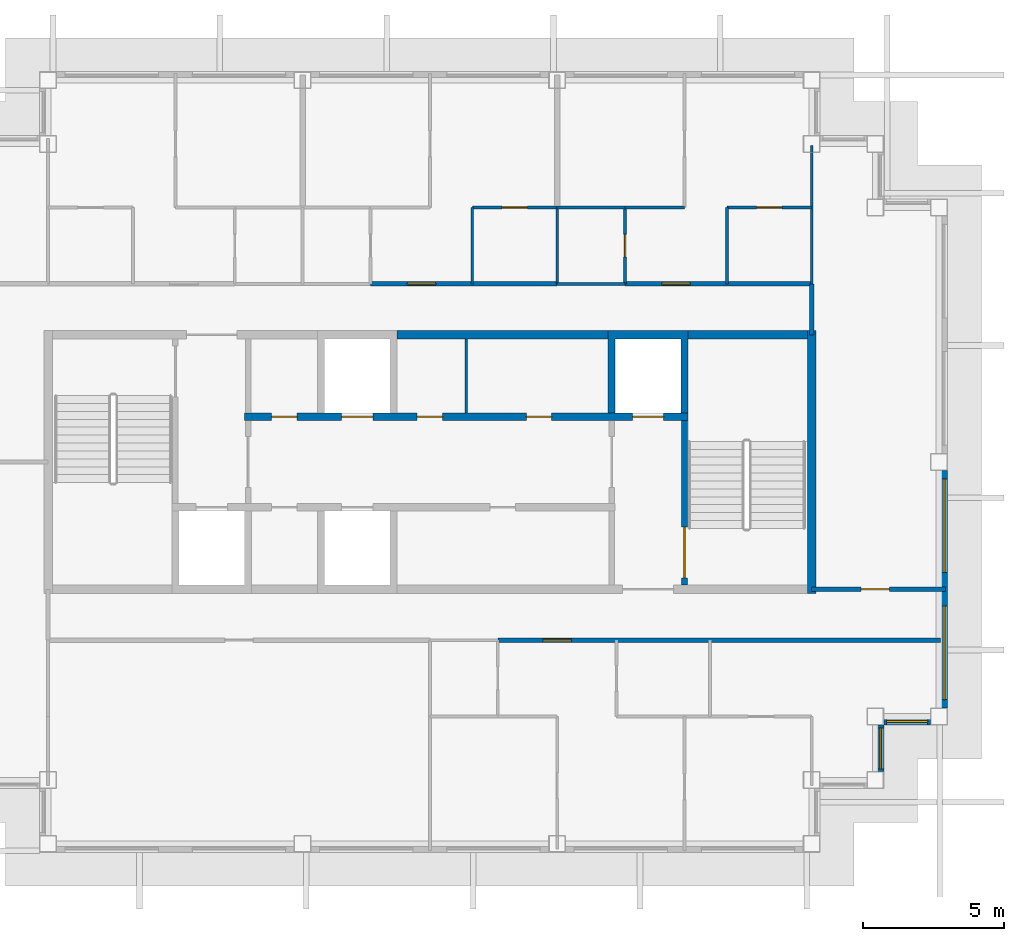
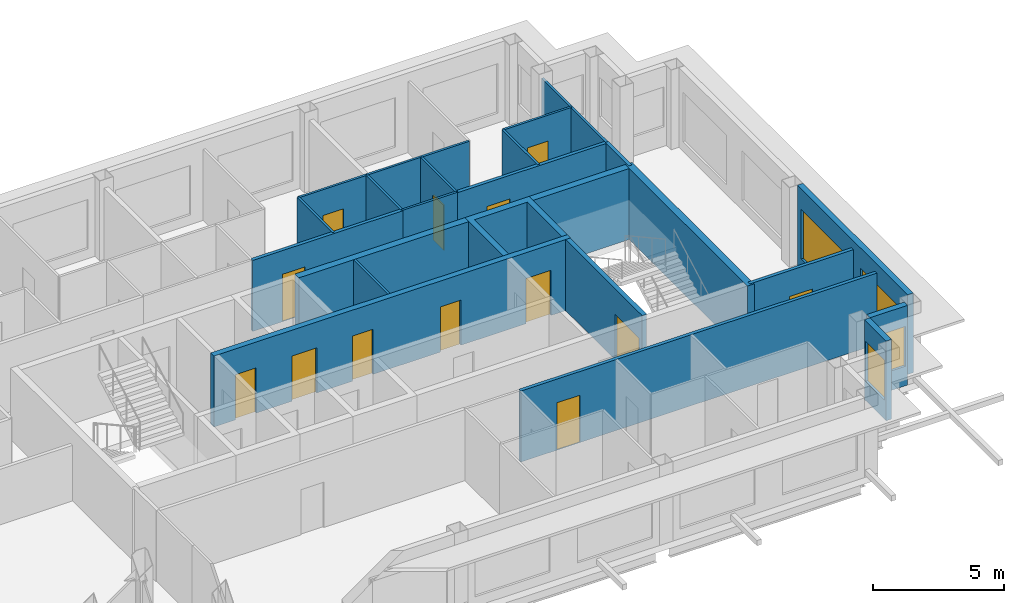
# One storey, part 5 of 11: 25 walls, 13 doors, 4 windows, 17 openings.
"""IFC4 building model written with IfcOpenShell, lengths in metres."""

from ifc_helpers import new_model, si_unit, direction, frame, frame_2d, origin, place, context, subcontext, project, spatial, polyline, rectangle, outline, extrude, material, layer, layer_set, type_object, element, fill, save


model = new_model("IFC4")

# Units and contexts
model_context = context("Model", 3, precision=1e-05, world=origin(), true_north=direction((0.0, 1.0)))
body_context = subcontext(model_context, "Body", "Model", "MODEL_VIEW")
ifc_project = project(units=[si_unit("LENGTHUNIT", "METRE"), si_unit("AREAUNIT", "SQUARE_METRE"), si_unit("VOLUMEUNIT", "CUBIC_METRE"), si_unit("PLANEANGLEUNIT", "RADIAN"), si_unit("MASSUNIT", "GRAM", prefix="KILO")], contexts=[model_context])

# Site, building, storey
site_placement = place(None, origin())
site = spatial("IfcSite", under=ifc_project, at=site_placement, CompositionType="ELEMENT")
building_placement = place(site_placement, origin())
building = spatial("IfcBuilding", under=site, at=building_placement, Name="Caravel Reach Hotel and Residences", CompositionType="ELEMENT")
storey_placement = place(building_placement, frame((0.0, 0.0, 274.89990234375)))
storey = spatial("IfcBuildingStorey", under=building, at=storey_placement, Name="L70", CompositionType="ELEMENT", Elevation=274.89990234375)

# Walls
ifc_material_1 = material(Name="Gypsum board on steel stud", Category="steel")
ifc_layer_1 = layer(ifc_material_1, 0.10009765625)
ifc_layer_set_1 = layer_set([ifc_layer_1], Name="Bathroom pod wall 100 mm")
wall_type_1 = type_object("IfcWallType", Name="Bathroom pod wall 100 mm", PredefinedType="PARTITIONING", material=ifc_layer_set_1)
for number, where, z_axis, x_axis, name in (
    (1, (36.0, 33.300048828125, 0.0), (0.0, 0.0, 1.0), (1.0, 0.0, 0.0), "L70 wall w059"),
    (2, (36.0, 36.0, 0.0), (0.0, 0.0, 1.0), (1.0, 0.0, 0.0), "L70 wall w062"),
):
    element("IfcWall", number, at=place(storey_placement, frame(where, z_axis=z_axis, x_axis=x_axis)), inside=storey, type_object=wall_type_1, Name=name, PredefinedType="PARTITIONING", context=body_context, shape_type="SweptSolid", body=[
        extrude(rectangle(XDim=2.39990234375, YDim=0.10009765625, at=frame_2d((1.199951171875, 0.0))), origin(), (0.0, 0.0, 1.0), 3.300048828125),
    ])
wall_1_placement = place(storey_placement, frame((36.0, 33.300048828125, 0.0), z_axis=(0.0, 0.0, 1.0), x_axis=(0.0, 1.0, 0.0)))
element("IfcWall", 3, at=wall_1_placement, inside=storey, type_object=wall_type_1, Name="L70 wall w068", PredefinedType="PARTITIONING", context=body_context, shape_type="SweptSolid", body=[
    extrude(rectangle(XDim=2.699951171875, YDim=0.10009765625, at=frame_2d((1.35009765625, 0.0))), origin(), (0.0, 0.0, 1.0), 3.300048828125),
])

# Wall, opening, door
wall_2_placement = place(storey_placement, frame((38.39990234375, 33.300048828125, 0.0), z_axis=(0.0, 0.0, 1.0), x_axis=(0.0, 1.0, 0.0)))
wall_2 = element("IfcWall", 4, at=wall_2_placement, inside=storey, type_object=wall_type_1, Name="L70 wall w069", PredefinedType="PARTITIONING", context=body_context, shape_type="SweptSolid", body=[
    extrude(rectangle(XDim=2.699951171875, YDim=0.10009765625, at=frame_2d((1.35009765625, 0.0))), origin(), (0.0, 0.0, 1.0), 3.300048828125),
])
opening_1_placement = place(wall_2_placement, frame((0.949951171875, 0.0, 0.0)))
opening_1 = element("IfcOpeningElement", 5, at=opening_1_placement, cuts=wall_2, Name="Opening D70-025", PredefinedType="OPENING", context=body_context, shape_type="SweptSolid", body=[
    extrude(rectangle(XDim=0.800048828125, YDim=2.10009765625, at=frame_2d((0.39990234375, 1.050048828125))), frame((0.0, 0.06005859375, 0.0), z_axis=(0.0, -1.0, 0.0), x_axis=(1.0, 0.0, 0.0)), (0.0, 0.0, 1.0), 0.1201171875),
])
ifc_material_2 = material(Name="Timber and steel door leaf", Category="steel")
door_type_1 = type_object("IfcDoorType", Name="Bathroom door 800 x 2100", OperationType="SINGLE_SWING_LEFT", PredefinedType="DOOR", material=ifc_material_2)
door_1_placement = place(opening_1_placement, origin())
door_1 = element("IfcDoor", 6, at=door_1_placement, inside=storey, type_object=door_type_1, Name="door D70-025", OperationType="SINGLE_SWING_RIGHT", OverallHeight=2.10009765625, OverallWidth=0.800048828125, PredefinedType="DOOR", context=body_context, shape_type="SweptSolid", body=[
    extrude(rectangle(XDim=0.800048828125, YDim=2.10009765625, at=frame_2d((0.39990234375, 1.050048828125))), frame((0.0, 0.02490234375, 0.0), z_axis=(0.0, -1.0, 0.0), x_axis=(1.0, 0.0, 0.0)), (0.0, 0.0, 1.0), 0.050048828125),
])
fill(opening_1, door_1)

# Walls
ifc_material_3 = material(Name="Concrete C60", Category="concrete")
ifc_layer_2 = layer(ifc_material_3, 0.300048828125)
ifc_layer_set_2 = layer_set([ifc_layer_2], Name="Core wall 300 mm EI 120")
wall_type_2 = type_object("IfcWallType", Name="Core wall 300 mm EI 120", PredefinedType="SHEAR", material=ifc_layer_set_2)
wall_3_placement = place(storey_placement, frame((30.33935546875, 31.5, 0.0), z_axis=(0.0, 0.0, 1.0), x_axis=(1.0, 0.0, 0.0)))
element("IfcWall", 7, at=wall_3_placement, inside=storey, type_object=wall_type_2, Name="L70 core wall N2", PredefinedType="SHEAR", context=body_context, shape_type="SweptSolid", body=[
    extrude(rectangle(XDim=7.464111328125, YDim=0.300048828125, at=frame_2d((3.73193359375, 0.0))), origin(), (0.0, 0.0, 1.0), 3.300048828125),
])
wall_4_placement = place(storey_placement, frame((40.625, 31.5, 0.0), z_axis=(0.0, 0.0, 1.0), x_axis=(1.0, 0.0, 0.0)))
element("IfcWall", 8, at=wall_4_placement, inside=storey, type_object=wall_type_2, Name="L70 core wall N3", PredefinedType="SHEAR", context=body_context, shape_type="SweptSolid", body=[
    extrude(rectangle(XDim=4.22509765625, YDim=0.300048828125, at=frame_2d((2.112548828125, 0.0))), origin(), (0.0, 0.0, 1.0), 3.300048828125),
])
wall_5_placement = place(storey_placement, frame((45.0, 22.35009765625, 0.0), z_axis=(0.0, 0.0, 1.0), x_axis=(0.0, 1.0, 0.0)))
element("IfcWall", 9, at=wall_5_placement, inside=storey, type_object=wall_type_2, Name="L70 core wall E", PredefinedType="SHEAR", context=body_context, shape_type="SweptSolid", body=[
    extrude(rectangle(XDim=9.2998046875, YDim=0.300048828125, at=frame_2d((4.64990234375, 0.0))), origin(), (0.0, 0.0, 1.0), 3.300048828125),
])

# Wall, opening, door
ifc_material_4 = material(Name="Gypsum board on steel stud, fire-rated", Category="steel")
ifc_layer_3 = layer(ifc_material_4, 0.14990234375)
ifc_layer_set_3 = layer_set([ifc_layer_3], Name="Corridor wall 150 mm EI 60")
wall_type_3 = type_object("IfcWallType", Name="Corridor wall 150 mm EI 60", PredefinedType="PARTITIONING", material=ifc_layer_set_3)
wall_6_placement = place(storey_placement, frame((33.89990234375, 20.699951171875, 0.0), z_axis=(0.0, 0.0, 1.0), x_axis=(1.0, 0.0, 0.0)))
wall_6 = element("IfcWall", 10, at=wall_6_placement, inside=storey, type_object=wall_type_3, Name="L70 wall w002", PredefinedType="PARTITIONING", context=body_context, shape_type="SweptSolid", body=[
    extrude(rectangle(XDim=15.650146484375, YDim=0.14990234375, at=frame_2d((7.8251953125, 0.0))), origin(), (0.0, 0.0, 1.0), 3.300048828125),
])
opening_2_placement = place(wall_6_placement, frame((1.60009765625, 0.0, 0.0)))
opening_2 = element("IfcOpeningElement", 11, at=opening_2_placement, cuts=wall_6, Name="Opening D70-031", PredefinedType="OPENING", context=body_context, shape_type="SweptSolid", body=[
    extrude(rectangle(XDim=1.0, YDim=2.199951171875, at=frame_2d((0.5, 1.10009765625))), frame((0.0, 0.0849609375, 0.0), z_axis=(0.0, -1.0, 0.0), x_axis=(1.0, 0.0, 0.0)), (0.0, 0.0, 1.0), 0.169921875),
])
ifc_material_5 = material(Name="Steel fire door leaf", Category="steel")
door_type_2 = type_object("IfcDoorType", Name="Flat entrance door 1000 x 2200 EI 60", OperationType="SINGLE_SWING_LEFT", PredefinedType="DOOR", material=ifc_material_5)
door_2_placement = place(opening_2_placement, origin())
door_2 = element("IfcDoor", 12, at=door_2_placement, inside=storey, type_object=door_type_2, Name="door D70-031", OperationType="SINGLE_SWING_RIGHT", OverallHeight=2.199951171875, OverallWidth=1.0, PredefinedType="DOOR", context=body_context, shape_type="SweptSolid", body=[
    extrude(rectangle(XDim=1.0, YDim=2.199951171875, at=frame_2d((0.5, 1.10009765625))), frame((0.0, 0.02490234375, 0.0), z_axis=(0.0, -1.0, 0.0), x_axis=(1.0, 0.0, 0.0)), (0.0, 0.0, 1.0), 0.050048828125),
])
fill(opening_2, door_2)

wall_7_placement = place(storey_placement, frame((45.0, 22.5, 0.0), z_axis=(0.0, 0.0, 1.0), x_axis=(1.0, 0.0, 0.0)))
wall_7 = element("IfcWall", 13, at=wall_7_placement, inside=storey, type_object=wall_type_3, Name="L70 wall w006", PredefinedType="PARTITIONING", context=body_context, shape_type="SweptSolid", body=[
    extrude(rectangle(XDim=4.739990234375, YDim=0.14990234375, at=frame_2d((2.3701171875, 0.0))), origin(), (0.0, 0.0, 1.0), 3.300048828125),
])
opening_3_placement = place(wall_7_placement, frame((1.75, 0.0, 0.0)))
opening_3 = element("IfcOpeningElement", 14, at=opening_3_placement, cuts=wall_7, Name="Opening D70-038", PredefinedType="OPENING", context=body_context, shape_type="SweptSolid", body=[
    extrude(rectangle(XDim=1.0, YDim=2.10009765625, at=frame_2d((0.5, 1.050048828125))), frame((0.0, 0.0849609375, 0.0), z_axis=(0.0, -1.0, 0.0), x_axis=(1.0, 0.0, 0.0)), (0.0, 0.0, 1.0), 0.169921875),
])
ifc_material_6 = material(Name="Steel fire door leaf", Category="steel")
door_type_3 = type_object("IfcDoorType", Name="Fire door 1000 x 2100 EI 60", OperationType="SINGLE_SWING_LEFT", PredefinedType="DOOR", material=ifc_material_6)
door_3_placement = place(opening_3_placement, origin())
door_3 = element("IfcDoor", 15, at=door_3_placement, inside=storey, type_object=door_type_3, Name="door D70-038", OperationType="SINGLE_SWING_RIGHT", OverallHeight=2.10009765625, OverallWidth=1.0, PredefinedType="DOOR", context=body_context, shape_type="SweptSolid", body=[
    extrude(rectangle(XDim=1.0, YDim=2.10009765625, at=frame_2d((0.5, 1.050048828125))), frame((0.0, 0.02490234375, 0.0), z_axis=(0.0, -1.0, 0.0), x_axis=(1.0, 0.0, 0.0)), (0.0, 0.0, 1.0), 0.050048828125),
])
fill(opening_3, door_3)

wall_8_placement = place(storey_placement, frame((29.39990234375, 33.300048828125, 0.0), z_axis=(0.0, 0.0, 1.0), x_axis=(1.0, 0.0, 0.0)))
wall_8 = element("IfcWall", 16, at=wall_8_placement, inside=storey, type_object=wall_type_3, Name="L70 wall w012", PredefinedType="PARTITIONING", context=body_context, shape_type="SweptSolid", body=[
    extrude(rectangle(XDim=6.60009765625, YDim=0.14990234375, at=frame_2d((3.300048828125, 0.0))), origin(), (0.0, 0.0, 1.0), 3.300048828125),
])
opening_4_placement = place(wall_8_placement, frame((1.300048828125, 0.0, 0.0)))
opening_4 = element("IfcOpeningElement", 17, at=opening_4_placement, cuts=wall_8, Name="Opening D70-020", PredefinedType="OPENING", context=body_context, shape_type="SweptSolid", body=[
    extrude(rectangle(XDim=1.0, YDim=2.199951171875, at=frame_2d((0.5, 1.10009765625))), frame((0.0, 0.0849609375, 0.0), z_axis=(0.0, -1.0, 0.0), x_axis=(1.0, 0.0, 0.0)), (0.0, 0.0, 1.0), 0.169921875),
])
door_4_placement = place(opening_4_placement, origin())
door_4 = element("IfcDoor", 18, at=door_4_placement, inside=storey, type_object=door_type_2, Name="door D70-020", OperationType="SINGLE_SWING_LEFT", OverallHeight=2.199951171875, OverallWidth=1.0, PredefinedType="DOOR", context=body_context, shape_type="SweptSolid", body=[
    extrude(rectangle(XDim=1.0, YDim=2.199951171875, at=frame_2d((0.5, 1.10009765625))), frame((0.0, 0.02490234375, 0.0), z_axis=(0.0, -1.0, 0.0), x_axis=(1.0, 0.0, 0.0)), (0.0, 0.0, 1.0), 0.050048828125),
])
fill(opening_4, door_4)

wall_9_placement = place(storey_placement, frame((38.39990234375, 33.300048828125, 0.0), z_axis=(0.0, 0.0, 1.0), x_axis=(1.0, 0.0, 0.0)))
wall_9 = element("IfcWall", 19, at=wall_9_placement, inside=storey, type_object=wall_type_3, Name="L70 wall w014", PredefinedType="PARTITIONING", context=body_context, shape_type="SweptSolid", body=[
    extrude(rectangle(XDim=6.60009765625, YDim=0.14990234375, at=frame_2d((3.300048828125, 0.0))), origin(), (0.0, 0.0, 1.0), 3.300048828125),
])
opening_5_placement = place(wall_9_placement, frame((1.300048828125, 0.0, 0.0)))
opening_5 = element("IfcOpeningElement", 20, at=opening_5_placement, cuts=wall_9, Name="Opening D70-024", PredefinedType="OPENING", context=body_context, shape_type="SweptSolid", body=[
    extrude(rectangle(XDim=1.0, YDim=2.199951171875, at=frame_2d((0.5, 1.10009765625))), frame((0.0, 0.0849609375, 0.0), z_axis=(0.0, -1.0, 0.0), x_axis=(1.0, 0.0, 0.0)), (0.0, 0.0, 1.0), 0.169921875),
])
door_5_placement = place(opening_5_placement, origin())
door_5 = element("IfcDoor", 21, at=door_5_placement, inside=storey, type_object=door_type_2, Name="door D70-024", OperationType="SINGLE_SWING_LEFT", OverallHeight=2.199951171875, OverallWidth=1.0, PredefinedType="DOOR", context=body_context, shape_type="SweptSolid", body=[
    extrude(rectangle(XDim=1.0, YDim=2.199951171875, at=frame_2d((0.5, 1.10009765625))), frame((0.0, 0.02490234375, 0.0), z_axis=(0.0, -1.0, 0.0), x_axis=(1.0, 0.0, 0.0)), (0.0, 0.0, 1.0), 0.050048828125),
])
fill(opening_5, door_5)

# Wall
wall_10_placement = place(storey_placement, frame((45.0, 31.5, 0.0), z_axis=(0.0, 0.0, 1.0), x_axis=(0.0, 1.0, 0.0)))
element("IfcWall", 22, at=wall_10_placement, inside=storey, type_object=wall_type_3, Name="L70 wall w020", PredefinedType="PARTITIONING", context=body_context, shape_type="SweptSolid", body=[
    extrude(rectangle(XDim=1.800048828125, YDim=0.14990234375, at=frame_2d((0.89990234375, 0.0))), origin(), (0.0, 0.0, 1.0), 3.300048828125),
])

# Wall, opening, window
ifc_material_7 = material(Name="Insulated rainscreen wall, aluminium cladding", Category="aluminium")
ifc_layer_4 = layer(ifc_material_7, 0.25)
ifc_layer_set_4 = layer_set([ifc_layer_4], Name="EW1 Tower rainscreen wall")
wall_type_4 = type_object("IfcWallType", Name="EW1 Tower rainscreen wall", PredefinedType="SOLIDWALL", material=ifc_layer_set_4)
wall_11_placement = place(storey_placement, frame((47.425048828125, 16.050048828125, 0.0), z_axis=(0.0, 0.0, 1.0), x_axis=(0.0, 1.0, 0.0)))
wall_11 = element("IfcWall", 23, at=wall_11_placement, inside=storey, type_object=wall_type_4, Name="External wall L70 E7.1", PredefinedType="SOLIDWALL", context=body_context, shape_type="SweptSolid", body=[
    extrude(rectangle(XDim=1.64990234375, YDim=0.25, at=frame_2d((0.824951171875, 0.0))), origin(), (0.0, 0.0, 1.0), 3.7001953125),
])
opening_6_placement = place(wall_11_placement, frame((0.10009765625, 0.0, 0.89990234375)))
opening_6 = element("IfcOpeningElement", 24, at=opening_6_placement, cuts=wall_11, Name="Opening WN25", PredefinedType="OPENING", context=body_context, shape_type="SweptSolid", body=[
    extrude(rectangle(XDim=1.449951171875, YDim=1.85009765625, at=frame_2d((0.72509765625, 0.925048828125))), frame((0.0, 0.135009765625, 0.0), z_axis=(0.0, -1.0, 0.0), x_axis=(1.0, 0.0, 0.0)), (0.0, 0.0, 1.0), 0.27001953125),
])
ifc_material_8 = material(Name="Dark low-e glazing in black aluminium frame", Category="aluminium")
window_type_1 = type_object("IfcWindowType", Name="Residence bedroom window 1450 x 1850", PartitioningType="SINGLE_PANEL", PredefinedType="WINDOW", material=ifc_material_8)
window_1_placement = place(opening_6_placement, origin())
window_1 = element("IfcWindow", 25, at=window_1_placement, inside=storey, type_object=window_type_1, Name="Window L70 E7.1.1", OverallHeight=1.85009765625, OverallWidth=1.449951171875, PartitioningType="SINGLE_PANEL", PredefinedType="WINDOW", context=body_context, shape_type="SweptSolid", body=[
    extrude(rectangle(XDim=1.449951171875, YDim=1.85009765625, at=frame_2d((0.72509765625, 0.925048828125))), frame((0.0, 0.030029296875, 0.0), z_axis=(0.0, -1.0, 0.0), x_axis=(1.0, 0.0, 0.0)), (0.0, 0.0, 1.0), 0.06005859375),
])
fill(opening_6, window_1)

wall_12_placement = place(storey_placement, frame((47.550048828125, 17.824951171875, 0.0), z_axis=(0.0, 0.0, 1.0), x_axis=(1.0, 0.0, 0.0)))
wall_12 = element("IfcWall", 26, at=wall_12_placement, inside=storey, type_object=wall_type_4, Name="External wall L70 S8.1", PredefinedType="SOLIDWALL", context=body_context, shape_type="SweptSolid", body=[
    extrude(rectangle(XDim=1.64990234375, YDim=0.25, at=frame_2d((0.824951171875, 0.0))), origin(), (0.0, 0.0, 1.0), 3.7001953125),
])
opening_7_placement = place(wall_12_placement, frame((0.10009765625, 0.0, 0.89990234375)))
opening_7 = element("IfcOpeningElement", 27, at=opening_7_placement, cuts=wall_12, Name="Opening WN25", PredefinedType="OPENING", context=body_context, shape_type="SweptSolid", body=[
    extrude(rectangle(XDim=1.449951171875, YDim=1.85009765625, at=frame_2d((0.72509765625, 0.925048828125))), frame((0.0, 0.135009765625, 0.0), z_axis=(0.0, -1.0, 0.0), x_axis=(1.0, 0.0, 0.0)), (0.0, 0.0, 1.0), 0.27001953125),
])
window_2_placement = place(opening_7_placement, origin())
window_2 = element("IfcWindow", 28, at=window_2_placement, inside=storey, type_object=window_type_1, Name="Window L70 S8.1.1", OverallHeight=1.85009765625, OverallWidth=1.449951171875, PartitioningType="SINGLE_PANEL", PredefinedType="WINDOW", context=body_context, shape_type="SweptSolid", body=[
    extrude(rectangle(XDim=1.449951171875, YDim=1.85009765625, at=frame_2d((0.72509765625, 0.925048828125))), frame((0.0, 0.030029296875, 0.0), z_axis=(0.0, -1.0, 0.0), x_axis=(1.0, 0.0, 0.0)), (0.0, 0.0, 1.0), 0.06005859375),
])
fill(opening_7, window_2)

# Wall, openings, windows
wall_13_placement = place(storey_placement, frame((49.675048828125, 18.300048828125, 0.0), z_axis=(0.0, 0.0, 1.0), x_axis=(0.0, 1.0, 0.0)))
wall_13 = element("IfcWall", 29, at=wall_13_placement, inside=storey, type_object=wall_type_4, Name="External wall L70 E9.1", PredefinedType="SOLIDWALL", context=body_context, shape_type="SweptSolid", body=[
    extrude(rectangle(XDim=8.39990234375, YDim=0.25, at=frame_2d((4.199951171875, 0.0))), origin(), (0.0, 0.0, 1.0), 3.7001953125),
])
opening_8_placement = place(wall_13_placement, frame((0.300048828125, 0.0, 0.449951171875)))
opening_8 = element("IfcOpeningElement", 30, at=opening_8_placement, cuts=wall_13, Name="Opening WN15", PredefinedType="OPENING", context=body_context, shape_type="SweptSolid", body=[
    extrude(rectangle(XDim=3.300048828125, YDim=2.300048828125, at=frame_2d((1.64990234375, 1.14990234375))), frame((0.0, 0.135009765625, 0.0), z_axis=(0.0, -1.0, 0.0), x_axis=(1.0, 0.0, 0.0)), (0.0, 0.0, 1.0), 0.27001953125),
])
opening_9_placement = place(wall_13_placement, frame((4.800048828125, 0.0, 0.449951171875)))
opening_9 = element("IfcOpeningElement", 31, at=opening_9_placement, cuts=wall_13, Name="Opening WN15", PredefinedType="OPENING", context=body_context, shape_type="SweptSolid", body=[
    extrude(rectangle(XDim=3.300048828125, YDim=2.300048828125, at=frame_2d((1.64990234375, 1.14990234375))), frame((0.0, 0.135009765625, 0.0), z_axis=(0.0, -1.0, 0.0), x_axis=(1.0, 0.0, 0.0)), (0.0, 0.0, 1.0), 0.27001953125),
])
ifc_material_9 = material(Name="Dark low-e glazing in black aluminium frame", Category="aluminium")
window_type_2 = type_object("IfcWindowType", Name="Residence living window 3300 x 2300", PartitioningType="SINGLE_PANEL", PredefinedType="WINDOW", material=ifc_material_9)
window_3_placement = place(opening_8_placement, origin())
window_3 = element("IfcWindow", 32, at=window_3_placement, inside=storey, type_object=window_type_2, Name="Window L70 E9.1.1", OverallHeight=2.300048828125, OverallWidth=3.300048828125, PartitioningType="SINGLE_PANEL", PredefinedType="WINDOW", context=body_context, shape_type="SweptSolid", body=[
    extrude(rectangle(XDim=3.300048828125, YDim=2.300048828125, at=frame_2d((1.64990234375, 1.14990234375))), frame((0.0, 0.030029296875, 0.0), z_axis=(0.0, -1.0, 0.0), x_axis=(1.0, 0.0, 0.0)), (0.0, 0.0, 1.0), 0.06005859375),
])
fill(opening_8, window_3)
window_4_placement = place(opening_9_placement, origin())
window_4 = element("IfcWindow", 33, at=window_4_placement, inside=storey, type_object=window_type_2, Name="Window L70 E9.1.2", OverallHeight=2.300048828125, OverallWidth=3.300048828125, PartitioningType="SINGLE_PANEL", PredefinedType="WINDOW", context=body_context, shape_type="SweptSolid", body=[
    extrude(rectangle(XDim=3.300048828125, YDim=2.300048828125, at=frame_2d((1.64990234375, 1.14990234375))), frame((0.0, 0.030029296875, 0.0), z_axis=(0.0, -1.0, 0.0), x_axis=(1.0, 0.0, 0.0)), (0.0, 0.0, 1.0), 0.06005859375),
])
fill(opening_9, window_4)

# Wall
ifc_material_10 = material(Name="Gypsum board on steel stud", Category="steel")
ifc_layer_5 = layer(ifc_material_10, 0.10009765625)
ifc_layer_set_5 = layer_set([ifc_layer_5], Name="Partition 100 mm")
wall_type_5 = type_object("IfcWallType", Name="Partition 100 mm", PredefinedType="PARTITIONING", material=ifc_layer_set_5)
wall_14_placement = place(storey_placement, frame((32.78564453125, 28.72509765625, 0.0), z_axis=(0.0, 0.0, 1.0), x_axis=(0.0, 1.0, 0.0)))
element("IfcWall", 34, at=wall_14_placement, inside=storey, type_object=wall_type_5, Name="L70 store partition", PredefinedType="PARTITIONING", context=body_context, shape_type="SweptSolid", body=[
    extrude(rectangle(XDim=2.625, YDim=0.10009765625, at=frame_2d((1.3125, 0.0))), origin(), (0.0, 0.0, 1.0), 3.300048828125),
])

# Wall, opening, door
wall_15_placement = place(storey_placement, frame((33.0, 36.0, 0.0), z_axis=(0.0, 0.0, 1.0), x_axis=(1.0, 0.0, 0.0)))
wall_15 = element("IfcWall", 35, at=wall_15_placement, inside=storey, type_object=wall_type_5, Name="L70 wall w029", PredefinedType="PARTITIONING", context=body_context, shape_type="SweptSolid", body=[
    extrude(rectangle(XDim=3.0, YDim=0.10009765625, at=frame_2d((1.5, 0.0))), origin(), (0.0, 0.0, 1.0), 3.300048828125),
])
opening_10_placement = place(wall_15_placement, frame((1.050048828125, 0.0, 0.0)))
opening_10 = element("IfcOpeningElement", 36, at=opening_10_placement, cuts=wall_15, Name="Opening D70-022", PredefinedType="OPENING", context=body_context, shape_type="SweptSolid", body=[
    extrude(rectangle(XDim=0.89990234375, YDim=2.10009765625, at=frame_2d((0.449951171875, 1.050048828125))), frame((0.0, 0.06005859375, 0.0), z_axis=(0.0, -1.0, 0.0), x_axis=(1.0, 0.0, 0.0)), (0.0, 0.0, 1.0), 0.1201171875),
])
ifc_material_11 = material(Name="Timber and steel door leaf", Category="steel")
door_type_4 = type_object("IfcDoorType", Name="Door 900 x 2100 timber", OperationType="SINGLE_SWING_LEFT", PredefinedType="DOOR", material=ifc_material_11)
door_6_placement = place(opening_10_placement, origin())
door_6 = element("IfcDoor", 37, at=door_6_placement, inside=storey, type_object=door_type_4, Name="door D70-022", OperationType="SINGLE_SWING_LEFT", OverallHeight=2.10009765625, OverallWidth=0.89990234375, PredefinedType="DOOR", context=body_context, shape_type="SweptSolid", body=[
    extrude(rectangle(XDim=0.89990234375, YDim=2.10009765625, at=frame_2d((0.449951171875, 1.050048828125))), frame((0.0, 0.02490234375, 0.0), z_axis=(0.0, -1.0, 0.0), x_axis=(1.0, 0.0, 0.0)), (0.0, 0.0, 1.0), 0.050048828125),
])
fill(opening_10, door_6)

# Wall
wall_16_placement = place(storey_placement, frame((38.39990234375, 36.0, 0.0), z_axis=(0.0, 0.0, 1.0), x_axis=(1.0, 0.0, 0.0)))
element("IfcWall", 38, at=wall_16_placement, inside=storey, type_object=wall_type_5, Name="L70 wall w030", PredefinedType="PARTITIONING", context=body_context, shape_type="SweptSolid", body=[
    extrude(rectangle(XDim=2.10009765625, YDim=0.10009765625, at=frame_2d((1.050048828125, 0.0))), origin(), (0.0, 0.0, 1.0), 3.300048828125),
])

# Wall, opening, door
wall_17_placement = place(storey_placement, frame((42.0, 36.0, 0.0), z_axis=(0.0, 0.0, 1.0), x_axis=(1.0, 0.0, 0.0)))
wall_17 = element("IfcWall", 39, at=wall_17_placement, inside=storey, type_object=wall_type_5, Name="L70 wall w031", PredefinedType="PARTITIONING", context=body_context, shape_type="SweptSolid", body=[
    extrude(rectangle(XDim=3.0, YDim=0.10009765625, at=frame_2d((1.5, 0.0))), origin(), (0.0, 0.0, 1.0), 3.300048828125),
])
opening_11_placement = place(wall_17_placement, frame((1.050048828125, 0.0, 0.0)))
opening_11 = element("IfcOpeningElement", 40, at=opening_11_placement, cuts=wall_17, Name="Opening D70-026", PredefinedType="OPENING", context=body_context, shape_type="SweptSolid", body=[
    extrude(rectangle(XDim=0.89990234375, YDim=2.10009765625, at=frame_2d((0.449951171875, 1.050048828125))), frame((0.0, 0.06005859375, 0.0), z_axis=(0.0, -1.0, 0.0), x_axis=(1.0, 0.0, 0.0)), (0.0, 0.0, 1.0), 0.1201171875),
])
door_7_placement = place(opening_11_placement, origin())
door_7 = element("IfcDoor", 41, at=door_7_placement, inside=storey, type_object=door_type_4, Name="door D70-026", OperationType="SINGLE_SWING_RIGHT", OverallHeight=2.10009765625, OverallWidth=0.89990234375, PredefinedType="DOOR", context=body_context, shape_type="SweptSolid", body=[
    extrude(rectangle(XDim=0.89990234375, YDim=2.10009765625, at=frame_2d((0.449951171875, 1.050048828125))), frame((0.0, 0.02490234375, 0.0), z_axis=(0.0, -1.0, 0.0), x_axis=(1.0, 0.0, 0.0)), (0.0, 0.0, 1.0), 0.050048828125),
])
fill(opening_11, door_7)

# Walls
for number, where, z_axis, x_axis, name in (
    (42, (33.0, 33.300048828125, 0.0), (0.0, 0.0, 1.0), (0.0, 1.0, 0.0), "L70 wall w040"),
    (43, (42.0, 33.300048828125, 0.0), (0.0, 0.0, 1.0), (0.0, 1.0, 0.0), "L70 wall w049"),
):
    element("IfcWall", number, at=place(storey_placement, frame(where, z_axis=z_axis, x_axis=x_axis)), inside=storey, type_object=wall_type_5, Name=name, PredefinedType="PARTITIONING", context=body_context, shape_type="SweptSolid", body=[
        extrude(rectangle(XDim=2.699951171875, YDim=0.10009765625, at=frame_2d((1.35009765625, 0.0))), origin(), (0.0, 0.0, 1.0), 3.300048828125),
    ])
wall_18_placement = place(storey_placement, frame((45.0, 33.300048828125, 0.0), z_axis=(0.0, 0.0, 1.0), x_axis=(0.0, 1.0, 0.0)))
element("IfcWall", 44, at=wall_18_placement, inside=storey, type_object=wall_type_5, Name="L70 wall w051", PredefinedType="PARTITIONING", context=body_context, shape_type="SweptSolid", body=[
    extrude(rectangle(XDim=4.89990234375, YDim=0.10009765625, at=frame_2d((2.449951171875, 0.0))), origin(), (0.0, 0.0, 1.0), 3.300048828125),
])
ifc_material_12 = material(Name="Concrete C60", Category="concrete")
ifc_layer_6 = layer(ifc_material_12, 0.25)
ifc_layer_set_6 = layer_set([ifc_layer_6], Name="Shaft wall 250 mm EI 120")
wall_type_6 = type_object("IfcWallType", Name="Shaft wall 250 mm EI 120", PredefinedType="SHEAR", material=ifc_layer_set_6)
wall_19_placement = place(storey_placement, origin())
element("IfcWall", 45, at=wall_19_placement, inside=storey, type_object=wall_type_6, Name="L70 lift shaft wall N2", PredefinedType="SHEAR", context=body_context, shape_type="SweptSolid", body=[
    extrude(outline(polyline([(37.803466796875, 28.72509765625), (38.053466796875, 28.72509765625), (38.053466796875, 31.35009765625), (40.375, 31.35009765625), (40.375, 28.72509765625), (40.625, 28.72509765625), (40.625, 31.64990234375), (37.803466796875, 31.64990234375), (37.803466796875, 28.72509765625)])), origin(), (0.0, 0.0, 1.0), 3.300048828125),
])

# Wall, openings, doors
wall_20_placement = place(storey_placement, frame((24.946533203125, 28.60009765625, 0.0), z_axis=(0.0, 0.0, 1.0), x_axis=(1.0, 0.0, 0.0)))
wall_20 = element("IfcWall", 46, at=wall_20_placement, inside=storey, type_object=wall_type_6, Name="L70 lobby wall N1", PredefinedType="SHEAR", context=body_context, shape_type="SweptSolid", body=[
    extrude(rectangle(XDim=15.678466796875, YDim=0.25, at=frame_2d((7.83935546875, 0.0))), origin(), (0.0, 0.0, 1.0), 3.300048828125),
])
opening_12_placement = place(wall_20_placement, frame((3.43212890625, 0.0, 0.0)))
opening_12 = element("IfcOpeningElement", 47, at=opening_12_placement, cuts=wall_20, Name="Opening D70-002", PredefinedType="OPENING", context=body_context, shape_type="SweptSolid", body=[
    extrude(rectangle(XDim=1.10009765625, YDim=2.10009765625, at=frame_2d((0.550048828125, 1.050048828125))), frame((0.0, 0.135009765625, 0.0), z_axis=(0.0, -1.0, 0.0), x_axis=(1.0, 0.0, 0.0)), (0.0, 0.0, 1.0), 0.27001953125),
])
opening_13_placement = place(wall_20_placement, frame((13.718017578125, 0.0, 0.0)))
opening_13 = element("IfcOpeningElement", 48, at=opening_13_placement, cuts=wall_20, Name="Opening D70-004", PredefinedType="OPENING", context=body_context, shape_type="SweptSolid", body=[
    extrude(rectangle(XDim=1.10009765625, YDim=2.10009765625, at=frame_2d((0.550048828125, 1.050048828125))), frame((0.0, 0.135009765625, 0.0), z_axis=(0.0, -1.0, 0.0), x_axis=(1.0, 0.0, 0.0)), (0.0, 0.0, 1.0), 0.27001953125),
])
opening_14_placement = place(wall_20_placement, frame((0.960693359375, 0.0, 0.0)))
opening_14 = element("IfcOpeningElement", 49, at=opening_14_placement, cuts=wall_20, Name="Opening D70-007", PredefinedType="OPENING", context=body_context, shape_type="SweptSolid", body=[
    extrude(rectangle(XDim=0.89990234375, YDim=2.10009765625, at=frame_2d((0.449951171875, 1.050048828125))), frame((0.0, 0.135009765625, 0.0), z_axis=(0.0, -1.0, 0.0), x_axis=(1.0, 0.0, 0.0)), (0.0, 0.0, 1.0), 0.27001953125),
])
opening_15_placement = place(wall_20_placement, frame((6.103515625, 0.0, 0.0)))
opening_15 = element("IfcOpeningElement", 50, at=opening_15_placement, cuts=wall_20, Name="Opening D70-008", PredefinedType="OPENING", context=body_context, shape_type="SweptSolid", body=[
    extrude(rectangle(XDim=0.89990234375, YDim=2.10009765625, at=frame_2d((0.449951171875, 1.050048828125))), frame((0.0, 0.135009765625, 0.0), z_axis=(0.0, -1.0, 0.0), x_axis=(1.0, 0.0, 0.0)), (0.0, 0.0, 1.0), 0.27001953125),
])
opening_16_placement = place(wall_20_placement, frame((9.960693359375, 0.0, 0.0)))
opening_16 = element("IfcOpeningElement", 51, at=opening_16_placement, cuts=wall_20, Name="Opening D70-009", PredefinedType="OPENING", context=body_context, shape_type="SweptSolid", body=[
    extrude(rectangle(XDim=0.89990234375, YDim=2.10009765625, at=frame_2d((0.449951171875, 1.050048828125))), frame((0.0, 0.135009765625, 0.0), z_axis=(0.0, -1.0, 0.0), x_axis=(1.0, 0.0, 0.0)), (0.0, 0.0, 1.0), 0.27001953125),
])
ifc_material_13 = material(Name="Stainless steel landing door", Category="steel")
door_type_5 = type_object("IfcDoorType", Name="Landing door LD 1100 x 2100 sliding", OperationType="DOUBLE_DOOR_SLIDING", PredefinedType="DOOR", material=ifc_material_13)
door_8_placement = place(opening_12_placement, origin())
door_8 = element("IfcDoor", 52, at=door_8_placement, inside=storey, type_object=door_type_5, Name="HP2 landing door", OperationType="DOUBLE_DOOR_SLIDING", OverallHeight=2.10009765625, OverallWidth=1.10009765625, PredefinedType="DOOR", context=body_context, shape_type="SweptSolid", body=[
    extrude(rectangle(XDim=1.10009765625, YDim=2.10009765625, at=frame_2d((0.550048828125, 1.050048828125))), frame((0.0, 0.02490234375, 0.0), z_axis=(0.0, -1.0, 0.0), x_axis=(1.0, 0.0, 0.0)), (0.0, 0.0, 1.0), 0.050048828125),
])
fill(opening_12, door_8)
door_9_placement = place(opening_13_placement, origin())
door_9 = element("IfcDoor", 53, at=door_9_placement, inside=storey, type_object=door_type_5, Name="FL2 landing door", OperationType="DOUBLE_DOOR_SLIDING", OverallHeight=2.10009765625, OverallWidth=1.10009765625, PredefinedType="DOOR", context=body_context, shape_type="SweptSolid", body=[
    extrude(rectangle(XDim=1.10009765625, YDim=2.10009765625, at=frame_2d((0.550048828125, 1.050048828125))), frame((0.0, 0.02490234375, 0.0), z_axis=(0.0, -1.0, 0.0), x_axis=(1.0, 0.0, 0.0)), (0.0, 0.0, 1.0), 0.050048828125),
])
fill(opening_13, door_9)
ifc_material_14 = material(Name="Steel fire door leaf", Category="steel")
door_type_6 = type_object("IfcDoorType", Name="Riser door 900 x 2100 EI 60", OperationType="SINGLE_SWING_LEFT", PredefinedType="DOOR", material=ifc_material_14)
door_10_placement = place(opening_14_placement, origin())
door_10 = element("IfcDoor", 54, at=door_10_placement, inside=storey, type_object=door_type_6, Name="Comms room door", OperationType="SINGLE_SWING_LEFT", OverallHeight=2.10009765625, OverallWidth=0.89990234375, PredefinedType="DOOR", context=body_context, shape_type="SweptSolid", body=[
    extrude(rectangle(XDim=0.89990234375, YDim=2.10009765625, at=frame_2d((0.449951171875, 1.050048828125))), frame((0.0, 0.02490234375, 0.0), z_axis=(0.0, -1.0, 0.0), x_axis=(1.0, 0.0, 0.0)), (0.0, 0.0, 1.0), 0.050048828125),
])
fill(opening_14, door_10)
door_11_placement = place(opening_15_placement, origin())
door_11 = element("IfcDoor", 55, at=door_11_placement, inside=storey, type_object=door_type_6, Name="Refuse store door", OperationType="SINGLE_SWING_LEFT", OverallHeight=2.10009765625, OverallWidth=0.89990234375, PredefinedType="DOOR", context=body_context, shape_type="SweptSolid", body=[
    extrude(rectangle(XDim=0.89990234375, YDim=2.10009765625, at=frame_2d((0.449951171875, 1.050048828125))), frame((0.0, 0.02490234375, 0.0), z_axis=(0.0, -1.0, 0.0), x_axis=(1.0, 0.0, 0.0)), (0.0, 0.0, 1.0), 0.050048828125),
])
fill(opening_15, door_11)
door_12_placement = place(opening_16_placement, origin())
door_12 = element("IfcDoor", 56, at=door_12_placement, inside=storey, type_object=door_type_6, Name="Housekeeping store door", OperationType="SINGLE_SWING_LEFT", OverallHeight=2.10009765625, OverallWidth=0.89990234375, PredefinedType="DOOR", context=body_context, shape_type="SweptSolid", body=[
    extrude(rectangle(XDim=0.89990234375, YDim=2.10009765625, at=frame_2d((0.449951171875, 1.050048828125))), frame((0.0, 0.02490234375, 0.0), z_axis=(0.0, -1.0, 0.0), x_axis=(1.0, 0.0, 0.0)), (0.0, 0.0, 1.0), 0.050048828125),
])
fill(opening_16, door_12)

# Wall, opening, door
ifc_material_15 = material(Name="Concrete C60", Category="concrete")
ifc_layer_7 = layer(ifc_material_15, 0.199951171875)
ifc_layer_set_7 = layer_set([ifc_layer_7], Name="Stair enclosure wall 200 mm EI 120")
wall_type_7 = type_object("IfcWallType", Name="Stair enclosure wall 200 mm EI 120", PredefinedType="SHEAR", material=ifc_layer_set_7)
wall_21_placement = place(storey_placement, frame((40.5, 22.64990234375, 0.0), z_axis=(0.0, 0.0, 1.0), x_axis=(0.0, 1.0, 0.0)))
wall_21 = element("IfcWall", 57, at=wall_21_placement, inside=storey, type_object=wall_type_7, Name="L70 stair B wall", PredefinedType="SHEAR", context=body_context, shape_type="SweptSolid", body=[
    extrude(rectangle(XDim=5.8251953125, YDim=0.199951171875, at=frame_2d((2.91259765625, 0.0))), origin(), (0.0, 0.0, 1.0), 3.300048828125),
])
opening_17_placement = place(wall_21_placement, frame((0.25, 0.0, 0.0)))
opening_17 = element("IfcOpeningElement", 58, at=opening_17_placement, cuts=wall_21, Name="Opening D70-011", PredefinedType="OPENING", context=body_context, shape_type="SweptSolid", body=[
    extrude(rectangle(XDim=1.800048828125, YDim=2.10009765625, at=frame_2d((0.89990234375, 1.050048828125))), frame((0.0, 0.10986328125, 0.0), z_axis=(0.0, -1.0, 0.0), x_axis=(1.0, 0.0, 0.0)), (0.0, 0.0, 1.0), 0.219970703125),
])
ifc_material_16 = material(Name="Steel fire door leaf", Category="steel")
door_type_7 = type_object("IfcDoorType", Name="Stair door pair 1800 x 2100 EI 90", OperationType="DOUBLE_DOOR_SINGLE_SWING", PredefinedType="DOOR", material=ifc_material_16)
door_13_placement = place(opening_17_placement, origin())
door_13 = element("IfcDoor", 59, at=door_13_placement, inside=storey, type_object=door_type_7, Name="stair B door pair", OperationType="DOUBLE_DOOR_SINGLE_SWING", OverallHeight=2.10009765625, OverallWidth=1.800048828125, PredefinedType="DOOR", context=body_context, shape_type="SweptSolid", body=[
    extrude(rectangle(XDim=1.800048828125, YDim=2.10009765625, at=frame_2d((0.89990234375, 1.050048828125))), frame((0.0, 0.02490234375, 0.0), z_axis=(0.0, -1.0, 0.0), x_axis=(1.0, 0.0, 0.0)), (0.0, 0.0, 1.0), 0.050048828125),
])
fill(opening_17, door_13)

save(model, "model.ifc")
